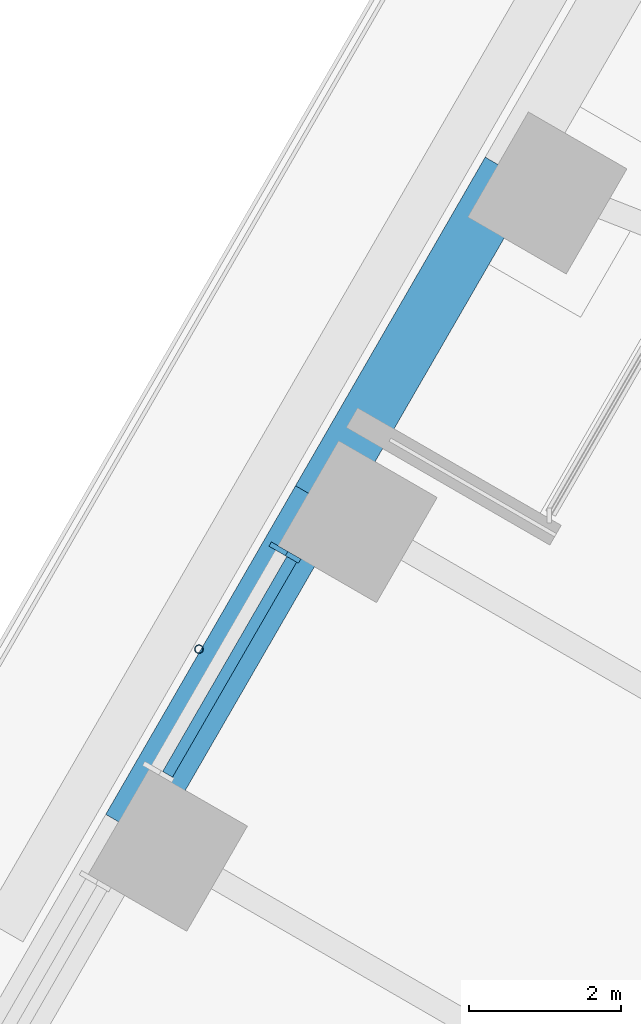
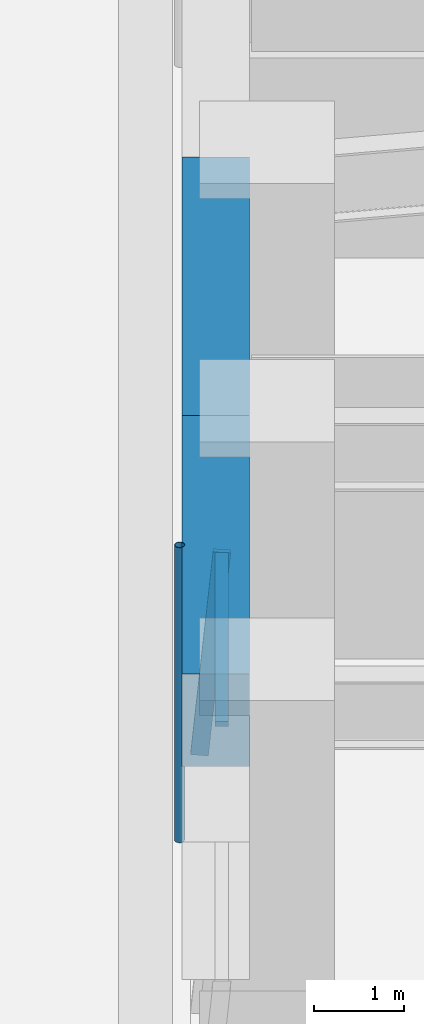
# One storey, part 7 of 24: 3 members, 2 beams, 1 element without a shape of its own.
"""IFC4 building model written with IfcOpenShell, lengths in metres."""

from ifc_helpers import new_model, si_unit, direction, frame, origin, origin_2d, place, context, subcontext, project, spatial, rectangle, hollow_circle, extrude, material, material_profile, profile_set, type_object, element, aggregate, save


model = new_model("IFC4")

# Units and contexts
model_context = context("Model", 3, precision=1e-05, world=origin(), true_north=direction((0.0, 1.0)))
body_context = subcontext(model_context, "Body", "Model", "MODEL_VIEW")
ifc_project = project(units=[si_unit("LENGTHUNIT", "METRE"), si_unit("AREAUNIT", "SQUARE_METRE"), si_unit("VOLUMEUNIT", "CUBIC_METRE"), si_unit("PLANEANGLEUNIT", "RADIAN"), si_unit("MASSUNIT", "GRAM", prefix="KILO")], contexts=[model_context])

# Site, building, storey
site_placement = place(None, origin())
site = spatial("IfcSite", under=ifc_project, at=site_placement, CompositionType="ELEMENT")
building_placement = place(site_placement, origin())
building = spatial("IfcBuilding", under=site, at=building_placement, Name="Tarfa Lantern Tower", CompositionType="ELEMENT")
storey_placement = place(building_placement, frame((0.0, 0.0, 157.300048828125)))
storey = spatial("IfcBuildingStorey", under=building, at=storey_placement, Name="L35", CompositionType="ELEMENT", Elevation=157.300048828125)

# Curtain wall, members
ifc_material_1 = material(Name="Aluminium framed curtain wall", Category="aluminium")
curtain_wall_type = type_object("IfcCurtainWallType", Name="CW2 CANTED GLAZING MID ZONE 2750", PredefinedType="USERDEFINED", material=ifc_material_1)
curtain_wall_placement = place(storey_placement, origin())
curtain_wall = element("IfcCurtainWall", 1, at=curtain_wall_placement, inside=storey, type_object=curtain_wall_type, Name="CW2 NWB L35", ObjectType="CURTAIN WALL", PredefinedType="USERDEFINED")
ifc_material_2 = material(Name="Aluminium mullion", Category="aluminium")
ifc_material_profile_1 = material_profile(ifc_material_2, rectangle(XDim=0.06494140625, YDim=0.199951171875, at=origin_2d()), Name="AL MULLION 65x200")
ifc_profile_set_1 = profile_set([ifc_material_profile_1], Name="Aluminium mullion")
member_type_1 = type_object("IfcMemberType", Name="CWM1 MULLION 65x200", PredefinedType="MULLION", material=ifc_profile_set_1)
member_1_placement = place(storey_placement, frame((-30.111328125, 10.645751953125, 0.0), z_axis=(0.078422950161, -0.045267813396, 0.995891894715), x_axis=(0.499919672301, 0.866071776036, 0.0)))
member_1 = element("IfcMember", 2, at=member_1_placement, type_object=member_type_1, Name="CW2 mullion 1", PredefinedType="MULLION", context=body_context, shape_type="SweptSolid", body=[
    extrude(rectangle(XDim=0.06494140625, YDim=0.199951171875, at=origin_2d()), origin(), (0.0, 0.0, 1.0), 2.76123046875),
])
ifc_material_3 = material(Name="Aluminium transom", Category="aluminium")
ifc_material_profile_2 = material_profile(ifc_material_3, rectangle(XDim=0.14990234375, YDim=0.06494140625, at=origin_2d()), Name="AL TRANSOM 150x65")
ifc_profile_set_2 = profile_set([ifc_material_profile_2], Name="Aluminium transom")
member_type_2 = type_object("IfcMemberType", Name="CWT1 TRANSOM 150x65", PredefinedType="USERDEFINED", material=ifc_profile_set_2)
member_2_placement = place(storey_placement, frame((-29.91357421875, 10.494140625, 2.717529296875), z_axis=(-0.500012937857, -0.86601793398, 0.0), x_axis=(0.86601793398, -0.500012937857, 0.0)))
member_2 = element("IfcMember", 3, at=member_2_placement, type_object=member_type_2, Name="CW2 transom 1.2", ObjectType="TRANSOM", PredefinedType="USERDEFINED", context=body_context, shape_type="SweptSolid", body=[
    extrude(rectangle(XDim=0.14990234375, YDim=0.06494140625, at=origin_2d()), origin(), (0.0, 0.0, 1.0), 3.27392578125),
])
aggregate(curtain_wall, [member_1, member_2])

# Beams
ifc_material_4 = material(Name="Concrete C80/95", Category="concrete")
ifc_material_profile_3 = material_profile(ifc_material_4, rectangle(XDim=0.75, YDim=1.25, at=origin_2d()), Name="RC 750x1250")
ifc_profile_set_3 = profile_set([ifc_material_profile_3], Name="Concrete C80/95")
beam_type = type_object("IfcBeamType", Name="EB2 RC 750x1250", PredefinedType="SPANDREL", material=ifc_profile_set_3)
for number, where, z_axis, x_axis, name in (
    (4, (-27.037353515625, 15.610107421875, 3.375), (-0.499964603504, -0.866045838996, 0.0), (0.866045838996, -0.499964603504, 0.0), "Edge beam NW3"),
    (5, (-29.5390625, 11.276611328125, 3.375), (-0.500022324899, -0.866012514114, 0.0), (0.866012514114, -0.500022324899, 0.0), "Edge beam NW4"),
):
    element("IfcBeam", number, at=place(storey_placement, frame(where, z_axis=z_axis, x_axis=x_axis)), inside=storey, type_object=beam_type, Name=name, PredefinedType="SPANDREL", context=body_context, shape_type="SweptSolid", body=[
        extrude(rectangle(XDim=0.75, YDim=1.25, at=origin_2d()), origin(), (0.0, 0.0, 1.0), 5.003662109375),
    ])

# Member
ifc_material_5 = material(Name="Steel S355", Category="steel")
ifc_material_profile_4 = material_profile(ifc_material_5, hollow_circle(Radius=0.05712890625, WallThickness=0.00634765625, at=origin_2d()), Name="CHS114.3x6.3")
ifc_profile_set_4 = profile_set([ifc_material_profile_4], Name="Steel S355")
member_type_3 = type_object("IfcMemberType", Name="TR1 GREEN WALL TRELLIS CHS114.3x6.3", PredefinedType="USERDEFINED", material=ifc_profile_set_4)
member_3_placement = place(storey_placement, frame((-31.136474609375, 9.31005859375, 0.0), z_axis=(0.0, 0.0, 1.0), x_axis=(1.0, 0.0, 0.0)))
element("IfcMember", 6, at=member_3_placement, inside=storey, type_object=member_type_3, Name="Trellis post NW 2", ObjectType="TRELLIS", PredefinedType="USERDEFINED", context=body_context, shape_type="SweptSolid", body=[
    extrude(hollow_circle(Radius=0.05712890625, WallThickness=0.00634765625, at=origin_2d()), origin(), (0.0, 0.0, 1.0), 4.0),
])

save(model, "model.ifc")
